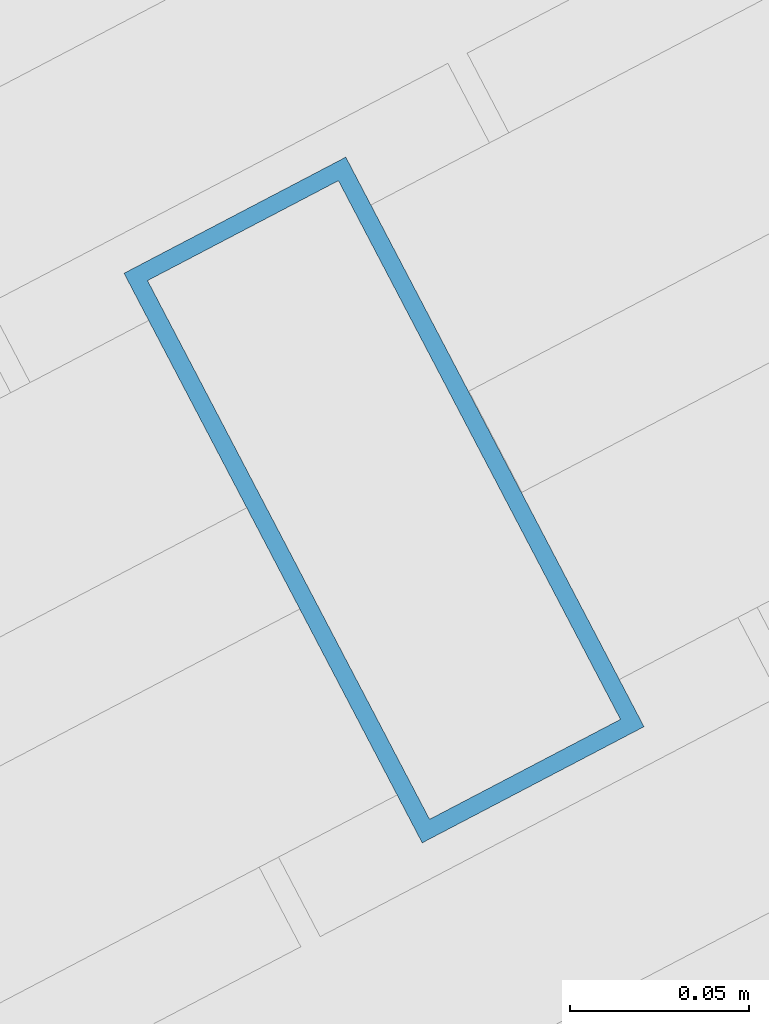
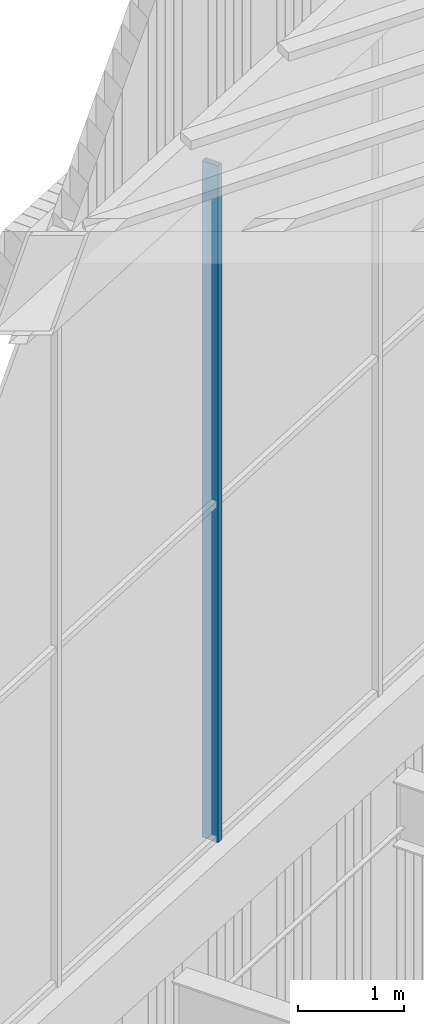
# One storey, part 49 of 117: 1 member, 1 element without a shape of its own.
"""IFC4 building model written with IfcOpenShell, lengths in metres."""

from ifc_helpers import new_model, si_unit, direction, frame, origin, origin_2d, place, context, subcontext, project, spatial, hollow_rectangle, extrude, material, layer, layer_set, material_profile, profile_set, type_object, element, aggregate, save


model = new_model("IFC4")

# Units and contexts
model_context = context("Model", 3, precision=1e-05, world=origin(), true_north=direction((0.0, 1.0)))
body_context = subcontext(model_context, "Body", "Model", "MODEL_VIEW")
ifc_project = project(units=[si_unit("LENGTHUNIT", "METRE"), si_unit("AREAUNIT", "SQUARE_METRE"), si_unit("VOLUMEUNIT", "CUBIC_METRE"), si_unit("PLANEANGLEUNIT", "RADIAN"), si_unit("MASSUNIT", "GRAM", prefix="KILO")], contexts=[model_context])

# Site, building, storey
site_placement = place(None, origin())
site = spatial("IfcSite", under=ifc_project, at=site_placement, CompositionType="ELEMENT")
building_placement = place(site_placement, origin())
building = spatial("IfcBuilding", under=site, at=building_placement, Name="Tarsis Ring Headquarters", CompositionType="ELEMENT")
storey_placement = place(building_placement, frame((0.0, 0.0, 403.60009765625)))
storey = spatial("IfcBuildingStorey", under=building, at=storey_placement, Name="L95", CompositionType="ELEMENT", Elevation=403.60009765625)

# Curtain wall, member
ifc_material_1 = material(Name="Aluminium curtain wall", Category="aluminium")
ifc_layer = layer(ifc_material_1, 0.179931640625)
ifc_layer_set = layer_set([ifc_layer], Name="Curtain wall crown glazing")
curtain_wall_type = type_object("IfcCurtainWallType", Name="Curtain wall crown glazing", PredefinedType="NOTDEFINED", material=ifc_layer_set)
curtain_wall_placement = place(storey_placement, origin())
curtain_wall = element("IfcCurtainWall", 1, at=curtain_wall_placement, inside=storey, type_object=curtain_wall_type, Name="Crown glazing L11", PredefinedType="NOTDEFINED")
ifc_material_2 = material(Name="Aluminium mullion", Category="aluminium")
ifc_material_profile = material_profile(ifc_material_2, hollow_rectangle(XDim=0.179931640625, YDim=0.070068359375, WallThickness=0.0048828125, at=origin_2d()), Name="RHS 180x70x5")
ifc_profile_set = profile_set([ifc_material_profile], Name="Aluminium mullion")
member_type = type_object("IfcMemberType", Name="Crown glazing mullion RHS 180x70x5", PredefinedType="MULLION", material=ifc_profile_set)
member_placement = place(storey_placement, frame((-13.17041015625, 25.156494140625, 5.7998046875), z_axis=(0.0, 0.0, 1.0), x_axis=(0.463817712561, -0.885930657284, 0.0)))
member = element("IfcMember", 2, at=member_placement, type_object=member_type, Name="CW-C mullion 3", PredefinedType="MULLION", context=body_context, shape_type="SweptSolid", body=[
    extrude(hollow_rectangle(XDim=0.179931640625, YDim=0.070068359375, WallThickness=0.0048828125, at=origin_2d()), origin(), (0.0, 0.0, 1.0), 7.800048828125),
])
aggregate(curtain_wall, [member])

save(model, "model.ifc")
